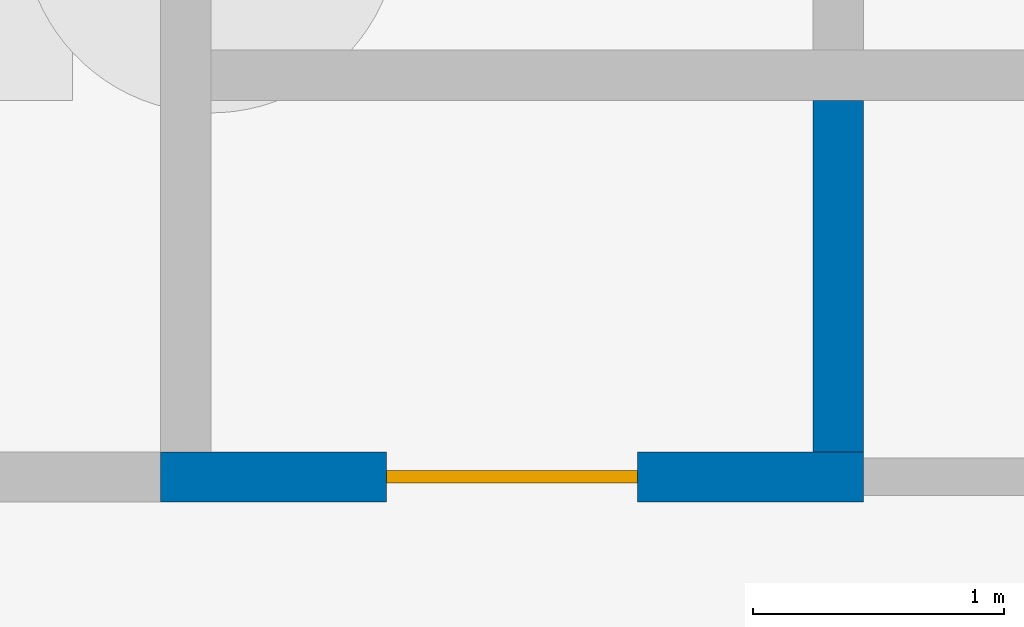
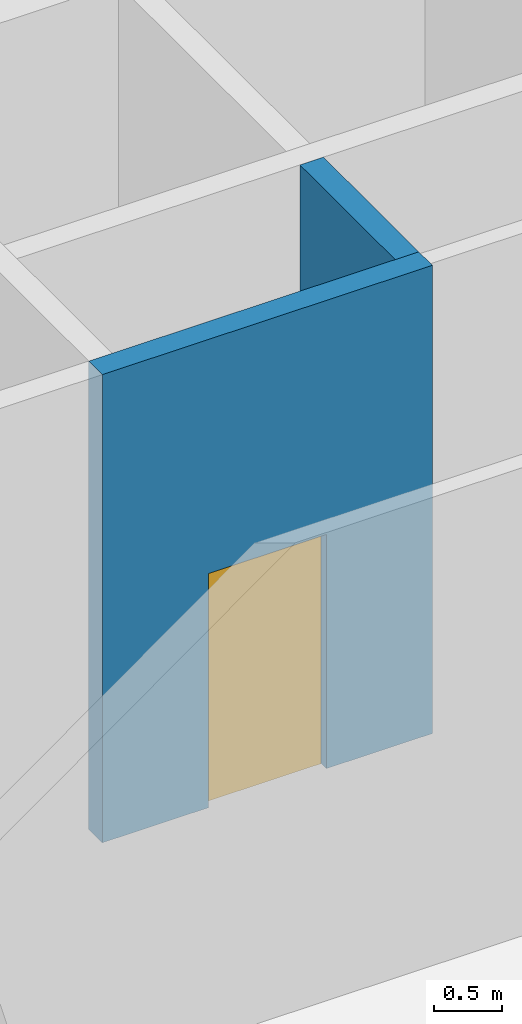
# One storey, part 13 of 27: 2 walls, 1 door, 1 opening.
"""IFC4 building model written with IfcOpenShell, lengths in metres."""

from ifc_helpers import new_model, si_unit, direction, frame, frame_2d, origin, place, context, subcontext, project, spatial, rectangle, extrude, material, layer, layer_set, type_object, element, fill, save


model = new_model("IFC4")

# Units and contexts
model_context = context("Model", 3, precision=1e-05, world=origin(), true_north=direction((0.0, 1.0)))
body_context = subcontext(model_context, "Body", "Model", "MODEL_VIEW")
ifc_project = project(units=[si_unit("LENGTHUNIT", "METRE"), si_unit("AREAUNIT", "SQUARE_METRE"), si_unit("VOLUMEUNIT", "CUBIC_METRE"), si_unit("PLANEANGLEUNIT", "RADIAN"), si_unit("MASSUNIT", "GRAM", prefix="KILO")], contexts=[model_context])

# Site, building, storey
site_placement = place(None, origin())
site = spatial("IfcSite", under=ifc_project, at=site_placement, CompositionType="ELEMENT")
building_placement = place(site_placement, origin())
building = spatial("IfcBuilding", under=site, at=building_placement, Name="Poui Terraces", CompositionType="ELEMENT")
storey_placement = place(building_placement, origin())
storey = spatial("IfcBuildingStorey", under=building, at=storey_placement, Name="L00", CompositionType="ELEMENT", Elevation=0.0)

# Wall, opening, door
ifc_material_1 = material(Name="Fire-rated masonry wall", Category="masonry")
ifc_layer = layer(ifc_material_1, 0.199951171875)
ifc_layer_set = layer_set([ifc_layer], Name="Fire-rated masonry wall")
wall_type = type_object("IfcWallType", Name="PLANT ROOM WALL 200", PredefinedType="PARTITIONING", material=ifc_layer_set)
wall_1_placement = place(storey_placement, frame((41.800048828125, 14.60009765625, 0.0), z_axis=(0.0, 0.0, 1.0), x_axis=(1.0, 0.0, 0.0)))
wall_1 = element("IfcWall", 1, at=wall_1_placement, inside=storey, type_object=wall_type, Name="PLANT ROOM WALL 200", PredefinedType="PARTITIONING", context=body_context, shape_type="SweptSolid", body=[
    extrude(rectangle(XDim=2.800048828125, YDim=0.199951171875, at=frame_2d((1.39990234375, 0.0))), origin(), (0.0, 0.0, 1.0), 4.199951171875),
])
opening_placement = place(wall_1_placement, frame((0.89990234375, 0.0, 0.0)))
opening = element("IfcOpeningElement", 2, at=opening_placement, cuts=wall_1, Name="Opening FD60", PredefinedType="OPENING", context=body_context, shape_type="SweptSolid", body=[
    extrude(rectangle(XDim=1.0, YDim=2.10009765625, at=frame_2d((0.5, 1.050048828125))), frame((0.0, 0.10986328125, 0.0), z_axis=(0.0, -1.0, 0.0), x_axis=(1.0, 0.0, 0.0)), (0.0, 0.0, 1.0), 0.219970703125),
])
ifc_material_2 = material(Name="Steel fire door", Category="steel")
door_type = type_object("IfcDoorType", Name="SERVICE ROOM FIRE DOOR 1000 X 2100", OperationType="NOTDEFINED", PredefinedType="DOOR", material=ifc_material_2)
door_placement = place(opening_placement, frame((1.0, 0.0, 0.0), z_axis=(0.0, 0.0, 1.0), x_axis=(-1.0, 0.0, 0.0)))
door = element("IfcDoor", 3, at=door_placement, inside=storey, type_object=door_type, Name="SERVICE ROOM FIRE DOOR 050", OperationType="SINGLE_SWING_RIGHT", OverallHeight=2.10009765625, OverallWidth=1.0, PredefinedType="DOOR", context=body_context, shape_type="SweptSolid", body=[
    extrude(rectangle(XDim=1.0, YDim=2.10009765625, at=frame_2d((0.5, 1.050048828125))), frame((0.0, 0.02490234375, 0.0), z_axis=(0.0, -1.0, 0.0), x_axis=(1.0, 0.0, 0.0)), (0.0, 0.0, 1.0), 0.050048828125),
])
fill(opening, door)

# Wall
wall_2_placement = place(storey_placement, frame((44.5, 14.699951171875, 0.0), z_axis=(0.0, 0.0, 1.0), x_axis=(0.0, 1.0, 0.0)))
element("IfcWall", 4, at=wall_2_placement, inside=storey, type_object=wall_type, Name="PLANT ROOM WALL 200", PredefinedType="PARTITIONING", context=body_context, shape_type="SweptSolid", body=[
    extrude(rectangle(XDim=1.400146484375, YDim=0.199951171875, at=frame_2d((0.7001953125, 0.0))), origin(), (0.0, 0.0, 1.0), 4.199951171875),
])

save(model, "model.ifc")
